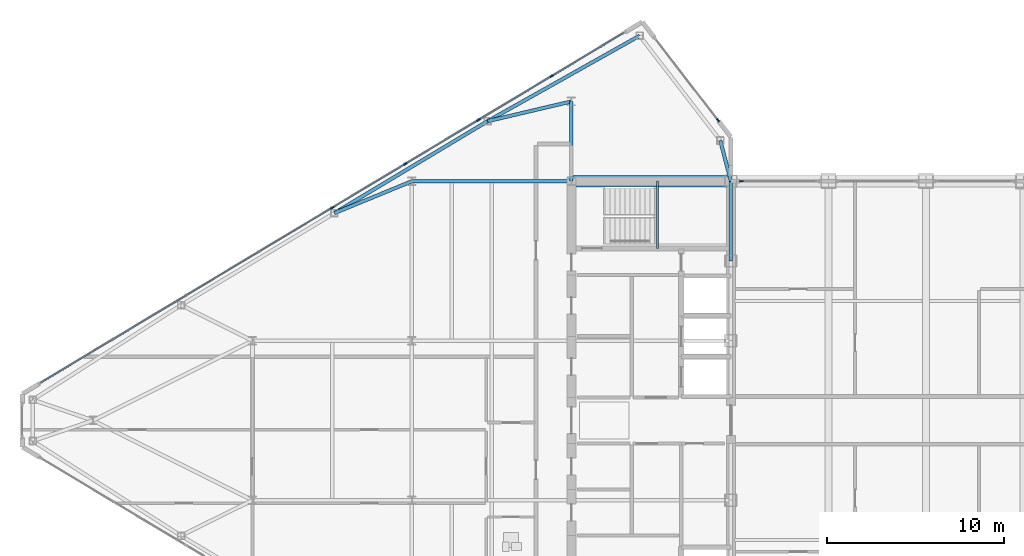
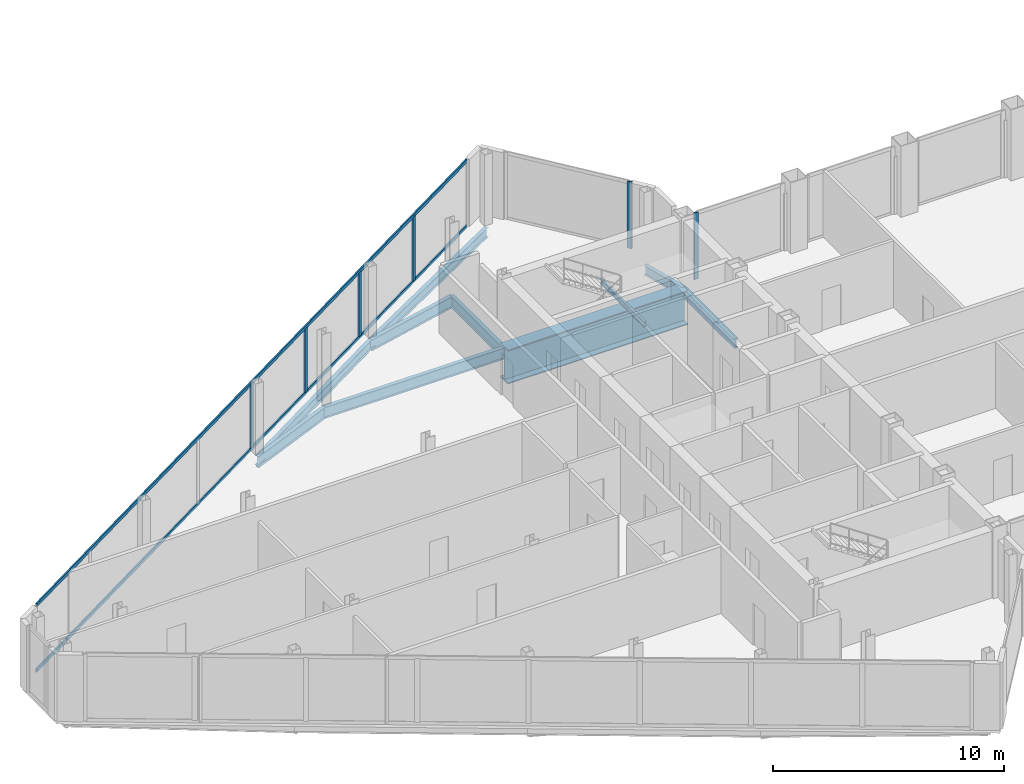
# One storey, part 11 of 29: 10 beams, 8 members, 3 elements without a shape of their own.
"""IFC4 building model written with IfcOpenShell, lengths in metres."""

from ifc_helpers import new_model, si_unit, direction, frame, origin, origin_2d, place, context, subcontext, project, spatial, rectangle, i_section, extrude, source, transform, mapped, material, layer, layer_set, material_profile, profile_set, type_object, type_shapes, element, aggregate, save


model = new_model("IFC4")

# Units and contexts
model_context = context("Model", 3, precision=1e-05, world=origin(), true_north=direction((0.0, 1.0)))
body_context = subcontext(model_context, "Body", "Model", "MODEL_VIEW")
ifc_project = project(units=[si_unit("LENGTHUNIT", "METRE"), si_unit("AREAUNIT", "SQUARE_METRE"), si_unit("VOLUMEUNIT", "CUBIC_METRE"), si_unit("PLANEANGLEUNIT", "RADIAN"), si_unit("MASSUNIT", "GRAM", prefix="KILO")], contexts=[model_context])

# Site, building, storey
site_placement = place(None, origin())
site = spatial("IfcSite", under=ifc_project, at=site_placement, CompositionType="ELEMENT")
building_placement = place(site_placement, origin())
building = spatial("IfcBuilding", under=site, at=building_placement, Name="Seokmaru Belvedere", CompositionType="ELEMENT")
storey_placement = place(building_placement, frame((0.0, 0.0, 239.39990234375)))
storey = spatial("IfcBuildingStorey", under=building, at=storey_placement, Name="L63", CompositionType="ELEMENT", Elevation=239.39990234375)

# Beams
ifc_material_1 = material(Name="Steel SM355 (355 MPa)", Category="steel")
ifc_material_profile_1 = material_profile(ifc_material_1, i_section(OverallWidth=0.199951171875, OverallDepth=0.5, WebThickness=0.010009765625, FlangeThickness=0.01611328125, at=origin_2d()), Name="H-500x200x10x16")
ifc_profile_set_1 = profile_set([ifc_material_profile_1], Name="Steel SM355 (355 MPa)")
beam_type_1 = type_object("IfcBeamType", Name="Perimeter Spandrel Beam H-500", PredefinedType="SPANDREL", material=ifc_profile_set_1)
shared_shape_1 = source(origin(), body_context, "Body", "SweptSolid", [
    extrude(i_section(OverallWidth=0.199951171875, OverallDepth=0.5, WebThickness=0.010009765625, FlangeThickness=0.01611328125, at=origin_2d()), origin(), (0.0, 0.0, 1.0), 4.5),
])
beam_1_placement = place(storey_placement, frame((-27.5, 9.0, -0.469970703125), z_axis=(0.0, 1.0, 0.0), x_axis=(-1.0, 0.0, 0.0)))
element("IfcBeam", 1, at=beam_1_placement, inside=storey, type_object=beam_type_1, Name="L63 W Portal Spine Spandrel 5", PredefinedType="SPANDREL", context=body_context, shape_type="MappedRepresentation", body=[
    mapped(shared_shape_1, transform((0.0, 0.0, 0.0), scale=1.0)),
])
ifc_material_profile_2 = material_profile(ifc_material_1, i_section(OverallWidth=0.199951171875, OverallDepth=0.60009765625, WebThickness=0.010986328125, FlangeThickness=0.01708984375, at=origin_2d()), Name="H-600x200x11x17")
ifc_profile_set_2 = profile_set([ifc_material_profile_2], Name="Steel SM355 (355 MPa)")
beam_type_2 = type_object("IfcBeamType", Name="Primary Floor Girder H-600", PredefinedType="BEAM", material=ifc_profile_set_2)
shared_shape_2 = source(origin(), body_context, "Body", "SweptSolid", [
    extrude(i_section(OverallWidth=0.199951171875, OverallDepth=0.60009765625, WebThickness=0.010986328125, FlangeThickness=0.01708984375, at=origin_2d()), origin(), (0.0, 0.0, 1.0), 9.0),
])
beam_2_placement = place(storey_placement, frame((-45.5, 13.5, -0.52001953125), z_axis=(1.0, 0.0, 0.0), x_axis=(0.0, 1.0, 0.0)))
element("IfcBeam", 2, at=beam_2_placement, inside=storey, type_object=beam_type_2, Name="L63 W Wing Primary Girder 4", PredefinedType="BEAM", context=body_context, shape_type="MappedRepresentation", body=[
    mapped(shared_shape_2, transform((0.0, 0.0, 0.0), scale=1.0)),
])
shared_shape_3 = source(origin(), body_context, "Body", "SweptSolid", [
    extrude(i_section(OverallWidth=0.199951171875, OverallDepth=0.60009765625, WebThickness=0.010986328125, FlangeThickness=0.01708984375, at=origin_2d()), origin(), (0.0, 0.0, 1.0), 4.5),
])
beam_3_placement = place(storey_placement, frame((-36.5, 13.5, -0.52001953125), z_axis=(0.0, 1.0, 0.0), x_axis=(-1.0, 0.0, 0.0)))
element("IfcBeam", 3, at=beam_3_placement, inside=storey, type_object=beam_type_2, Name="L63 W Core Shoulder Girder N", PredefinedType="BEAM", context=body_context, shape_type="MappedRepresentation", body=[
    mapped(shared_shape_3, transform((0.0, 0.0, 0.0), scale=1.0)),
])
shared_shape_4 = source(origin(), body_context, "Body", "SweptSolid", [
    extrude(i_section(OverallWidth=0.199951171875, OverallDepth=0.5, WebThickness=0.010009765625, FlangeThickness=0.01611328125, at=origin_2d()), origin(), (0.0, 0.0, 1.0), 9.842041015625),
])
beam_4_placement = place(storey_placement, frame((-32.649658203125, 21.71044921875, -0.469970703125), z_axis=(-0.871782151818, -0.489893743349, 0.0), x_axis=(0.489893743349, -0.871782151818, 0.0)))
element("IfcBeam", 4, at=beam_4_placement, inside=storey, type_object=beam_type_1, Name="L63 W Faceted Flank Spandrel N-1", PredefinedType="SPANDREL", context=body_context, shape_type="MappedRepresentation", body=[
    mapped(shared_shape_4, transform((0.0, 0.0, 0.0), scale=1.0)),
])
shared_shape_5 = source(origin(), body_context, "Body", "SweptSolid", [
    extrude(i_section(OverallWidth=0.199951171875, OverallDepth=0.5, WebThickness=0.010009765625, FlangeThickness=0.01611328125, at=origin_2d()), origin(), (0.0, 0.0, 1.0), 10.087646484375),
])
beam_5_placement = place(storey_placement, frame((-41.229736328125, 16.888916015625, -0.469970703125), z_axis=(-0.857499332045, -0.514485078056, 0.0), x_axis=(0.514485078056, -0.857499332045, 0.0)))
element("IfcBeam", 5, at=beam_5_placement, inside=storey, type_object=beam_type_1, Name="L63 W Faceted Flank Spandrel N-2", PredefinedType="SPANDREL", context=body_context, shape_type="MappedRepresentation", body=[
    mapped(shared_shape_5, transform((0.0, 0.0, 0.0), scale=1.0)),
])
shared_shape_6 = source(origin(), body_context, "Body", "SweptSolid", [
    extrude(i_section(OverallWidth=0.199951171875, OverallDepth=0.5, WebThickness=0.010009765625, FlangeThickness=0.01611328125, at=origin_2d()), origin(), (0.0, 0.0, 1.0), 2.373046875),
])
type_shapes(beam_type_1, [shared_shape_1, shared_shape_4, shared_shape_5, shared_shape_6])
beam_6_placement = place(storey_placement, frame((-28.10009765625, 15.7958984375, -0.469970703125), z_axis=(0.252882558842, -0.967496982648, 0.0), x_axis=(0.967496982648, 0.252882558842, 0.0)))
element("IfcBeam", 6, at=beam_6_placement, inside=storey, type_object=beam_type_1, Name="L63 W Shoulder Spine Spandrel N", PredefinedType="SPANDREL", context=body_context, shape_type="MappedRepresentation", body=[
    mapped(shared_shape_6, transform((0.0, 0.0, 0.0), scale=1.0)),
])
shared_shape_7 = source(origin(), body_context, "Body", "SweptSolid", [
    extrude(i_section(OverallWidth=0.199951171875, OverallDepth=0.60009765625, WebThickness=0.010986328125, FlangeThickness=0.01708984375, at=origin_2d()), origin(), (0.0, 0.0, 1.0), 4.8583984375),
])
beam_7_placement = place(storey_placement, frame((-41.229736328125, 16.888916015625, -0.52001953125), z_axis=(0.97349948295, 0.228689214211, 0.0), x_axis=(-0.228689214211, 0.97349948295, 0.0)))
element("IfcBeam", 7, at=beam_7_placement, inside=storey, type_object=beam_type_2, Name="L63 W Flank Radial Floor Girder N-1", PredefinedType="BEAM", context=body_context, shape_type="MappedRepresentation", body=[
    mapped(shared_shape_7, transform((0.0, 0.0, 0.0), scale=1.0)),
])
shared_shape_8 = source(origin(), body_context, "Body", "SweptSolid", [
    extrude(i_section(OverallWidth=0.199951171875, OverallDepth=0.60009765625, WebThickness=0.010986328125, FlangeThickness=0.01708984375, at=origin_2d()), origin(), (0.0, 0.0, 1.0), 4.73583984375),
])
type_shapes(beam_type_2, [shared_shape_2, shared_shape_3, shared_shape_7, shared_shape_8])
beam_8_placement = place(storey_placement, frame((-49.8798828125, 11.698974609375, -0.52001953125), z_axis=(0.924860562953, 0.380306375301, 0.0), x_axis=(-0.380306375301, 0.924860562953, 0.0)))
element("IfcBeam", 8, at=beam_8_placement, inside=storey, type_object=beam_type_2, Name="L63 W Flank Radial Floor Girder N-2", PredefinedType="BEAM", context=body_context, shape_type="MappedRepresentation", body=[
    mapped(shared_shape_8, transform((0.0, 0.0, 0.0), scale=1.0)),
])
ifc_material_2 = material(Name="Steel HSA650 (650 MPa)", Category="steel")
ifc_material_profile_3 = material_profile(ifc_material_2, i_section(OverallWidth=0.64990234375, OverallDepth=1.800048828125, WebThickness=0.031982421875, FlangeThickness=0.054931640625, at=origin_2d()), Name="BH-1800x650x32x55")
ifc_profile_set_3 = profile_set([ifc_material_profile_3], Name="Steel HSA650 (650 MPa)")
beam_type_3 = type_object("IfcBeamType", Name="Sky-Gate Upper Bridge Chord Girder BH-1800", PredefinedType="BEAM", material=ifc_profile_set_3)
shared_shape_9 = source(origin(), body_context, "Body", "SweptSolid", [
    extrude(i_section(OverallWidth=0.64990234375, OverallDepth=1.800048828125, WebThickness=0.031982421875, FlangeThickness=0.054931640625, at=origin_2d()), origin(), (0.0, 0.0, 1.0), 9.0),
])
type_shapes(beam_type_3, [shared_shape_9])
beam_9_placement = place(storey_placement, frame((-36.5, 13.5, -1.119873046875), z_axis=(1.0, 0.0, 0.0), x_axis=(0.0, 1.0, 0.0)))
element("IfcBeam", 9, at=beam_9_placement, inside=storey, type_object=beam_type_3, Name="L63 Sky-Gate Transfer Truss Chord N-01", PredefinedType="BEAM", context=body_context, shape_type="MappedRepresentation", body=[
    mapped(shared_shape_9, transform((0.0, 0.0, 0.0), scale=1.0)),
])

# Curtain wall, members
ifc_material_3 = material(Name="Bronze Triple Insulating Glass", Category="glass")
ifc_layer = layer(ifc_material_3, 0.219970703125)
ifc_layer_set = layer_set([ifc_layer], Name="Bronze Triple Insulating Glass")
curtain_wall_type = type_object("IfcCurtainWallType", Name="Sky-Gate Bridge Panorama Curtain Wall System CW-6", PredefinedType="NOTDEFINED", material=ifc_layer_set)
curtain_wall_1_placement = place(storey_placement, origin())
curtain_wall_1 = element("IfcCurtainWall", 10, at=curtain_wall_1_placement, inside=storey, type_object=curtain_wall_type, Name="L63 Curtain Wall WF3", PredefinedType="NOTDEFINED")
ifc_material_4 = material(Name="Anodised Bronze Aluminium", Category="aluminium")
ifc_material_profile_4 = material_profile(ifc_material_4, rectangle(XDim=0.074951171875, YDim=0.179931640625, at=origin_2d()), Name="CW-T-75x180")
ifc_profile_set_4 = profile_set([ifc_material_profile_4], Name="Anodised Bronze Aluminium")
member_type_1 = type_object("IfcMemberType", Name="Bronze Unitised Transom 75x180", PredefinedType="USERDEFINED", material=ifc_profile_set_4)
shared_shape_10 = source(origin(), body_context, "Body", "SweptSolid", [
    extrude(rectangle(XDim=0.074951171875, YDim=0.179931640625, at=origin_2d()), origin(), (0.0, 0.0, 1.0), 38.356689453125),
])
type_shapes(member_type_1, [shared_shape_10])
member_1_placement = place(storey_placement, frame((-33.5546875, 21.8671875, 0.03759765625), z_axis=(-0.857492925713, -0.514495755428, 0.0), x_axis=(0.514495755428, -0.857492925713, 0.0)))
member_1 = element("IfcMember", 11, at=member_1_placement, type_object=member_type_1, Name="CW:L63:WF3 Continuous Transom 1", ObjectType="TRANSOM", PredefinedType="USERDEFINED", context=body_context, shape_type="MappedRepresentation", body=[
    mapped(shared_shape_10, transform((0.0, 0.0, 0.0), scale=1.0)),
])
member_2_placement = place(storey_placement, frame((-33.5546875, 21.8671875, 3.49267578125), z_axis=(-0.857492925713, -0.514495755428, 0.0), x_axis=(0.514495755428, -0.857492925713, 0.0)))
member_2 = element("IfcMember", 12, at=member_2_placement, type_object=member_type_1, Name="CW:L63:WF3 Continuous Transom 2", ObjectType="TRANSOM", PredefinedType="USERDEFINED", context=body_context, shape_type="MappedRepresentation", body=[
    mapped(shared_shape_10, transform((0.0, 0.0, 0.0), scale=1.0)),
])

# Curtain wall, member
curtain_wall_2_placement = place(storey_placement, origin())
curtain_wall_2 = element("IfcCurtainWall", 13, at=curtain_wall_2_placement, inside=storey, type_object=curtain_wall_type, Name="L63 Curtain Wall WF2", PredefinedType="NOTDEFINED")
ifc_material_profile_5 = material_profile(ifc_material_4, rectangle(XDim=0.080078125, YDim=0.219970703125, at=origin_2d()), Name="CW-M-80x220")
ifc_profile_set_5 = profile_set([ifc_material_profile_5], Name="Anodised Bronze Aluminium")
member_type_2 = type_object("IfcMemberType", Name="Bronze Unitised Mullion 80x220", PredefinedType="MULLION", material=ifc_profile_set_5)
shared_shape_11 = source(origin(), body_context, "Body", "SweptSolid", [
    extrude(rectangle(XDim=0.080078125, YDim=0.219970703125, at=origin_2d()), origin(), (0.0, 0.0, 1.0), 3.530029296875),
])
member_3_placement = place(storey_placement, frame((-28.2255859375, 16.943115234375, 0.0), z_axis=(0.0, 0.0, 1.0), x_axis=(-0.792631353244, -0.609701187349, 0.0)))
member_3 = element("IfcMember", 14, at=member_3_placement, type_object=member_type_2, Name="CW:L63:WF2 Mullion 1", PredefinedType="MULLION", context=body_context, shape_type="MappedRepresentation", body=[
    mapped(shared_shape_11, transform((0.0, 0.0, 0.0), scale=1.0)),
])
aggregate(curtain_wall_2, [member_3])

curtain_wall_3_placement = place(storey_placement, origin())
curtain_wall_3 = element("IfcCurtainWall", 15, at=curtain_wall_3_placement, inside=storey, type_object=curtain_wall_type, Name="L63 Curtain Wall BR_N01", PredefinedType="NOTDEFINED")
member_4_placement = place(storey_placement, frame((-26.909912109375, 13.5, 0.0), z_axis=(0.0, 0.0, 1.0), x_axis=(0.0, -1.0, 0.0)))
member_4 = element("IfcMember", 16, at=member_4_placement, type_object=member_type_2, Name="CW:L63:BR_N01 Mullion 2", PredefinedType="MULLION", context=body_context, shape_type="MappedRepresentation", body=[
    mapped(shared_shape_11, transform((0.0, 0.0, 0.0), scale=1.0)),
])
aggregate(curtain_wall_3, [member_4])

# Member
shared_shape_12 = source(origin(), body_context, "Body", "SweptSolid", [
    extrude(rectangle(XDim=0.080078125, YDim=0.219970703125, at=origin_2d()), origin(), (0.0, 0.0, 1.0), 3.3798828125),
])
type_shapes(member_type_2, [shared_shape_11, shared_shape_12])
member_5_placement = place(storey_placement, frame((-37.614501953125, 19.43115234375, 0.0751953125), z_axis=(0.0, 0.0, 1.0), x_axis=(0.514494909364, -0.85749343335, 0.0)))
member_5 = element("IfcMember", 17, at=member_5_placement, type_object=member_type_2, Name="CW:L63:WF3 Mullion 2", PredefinedType="MULLION", context=body_context, shape_type="MappedRepresentation", body=[
    mapped(shared_shape_12, transform((0.0, 0.0, 0.0), scale=1.0)),
])

member_6_placement = place(storey_placement, frame((-41.7431640625, 16.9541015625, 0.0751953125), z_axis=(0.0, 0.0, 1.0), x_axis=(0.514494909364, -0.85749343335, 0.0)))
member_6 = element("IfcMember", 18, at=member_6_placement, type_object=member_type_2, Name="CW:L63:WF3 Mullion 3", PredefinedType="MULLION", context=body_context, shape_type="MappedRepresentation", body=[
    mapped(shared_shape_12, transform((0.0, 0.0, 0.0), scale=1.0)),
])

member_7_placement = place(storey_placement, frame((-45.87158203125, 14.47705078125, 0.0751953125), z_axis=(0.0, 0.0, 1.0), x_axis=(0.514494909364, -0.85749343335, 0.0)))
member_7 = element("IfcMember", 19, at=member_7_placement, type_object=member_type_2, Name="CW:L63:WF3 Mullion 4", PredefinedType="MULLION", context=body_context, shape_type="MappedRepresentation", body=[
    mapped(shared_shape_12, transform((0.0, 0.0, 0.0), scale=1.0)),
])

member_8_placement = place(storey_placement, frame((-50.0, 12.0, 0.0751953125), z_axis=(0.0, 0.0, 1.0), x_axis=(0.514494909364, -0.85749343335, 0.0)))
member_8 = element("IfcMember", 20, at=member_8_placement, type_object=member_type_2, Name="CW:L63:WF3 Mullion 5", PredefinedType="MULLION", context=body_context, shape_type="MappedRepresentation", body=[
    mapped(shared_shape_12, transform((0.0, 0.0, 0.0), scale=1.0)),
])

aggregate(curtain_wall_1, [member_5, member_6, member_7, member_8, member_1, member_2])

# Beam
ifc_material_profile_6 = material_profile(ifc_material_1, i_section(OverallWidth=0.125, OverallDepth=0.25, WebThickness=0.006103515625, FlangeThickness=0.009033203125, at=origin_2d()), Name="H-250x125x6x9")
ifc_profile_set_6 = profile_set([ifc_material_profile_6], Name="Steel SM355 (355 MPa)")
beam_type_4 = type_object("IfcBeamType", Name="Stair Mid-Landing Support Beam H-250", PredefinedType="JOIST", material=ifc_profile_set_6)
shared_shape_13 = source(origin(), body_context, "Body", "SweptSolid", [
    extrude(i_section(OverallWidth=0.125, OverallDepth=0.25, WebThickness=0.006103515625, FlangeThickness=0.009033203125, at=origin_2d()), origin(), (0.0, 0.0, 1.0), 3.800048828125),
])
type_shapes(beam_type_4, [shared_shape_13])
beam_10_placement = place(storey_placement, frame((-31.64990234375, 9.699951171875, 1.550048828125), z_axis=(0.0, 1.0, 0.0), x_axis=(-1.0, 0.0, 0.0)))
element("IfcBeam", 21, at=beam_10_placement, inside=storey, type_object=beam_type_4, Name="L63 Stair ST-W2 Mid-Landing Support Beam 1", PredefinedType="JOIST", context=body_context, shape_type="MappedRepresentation", body=[
    mapped(shared_shape_13, transform((0.0, 0.0, 0.0), scale=1.0)),
])

save(model, "model.ifc")
